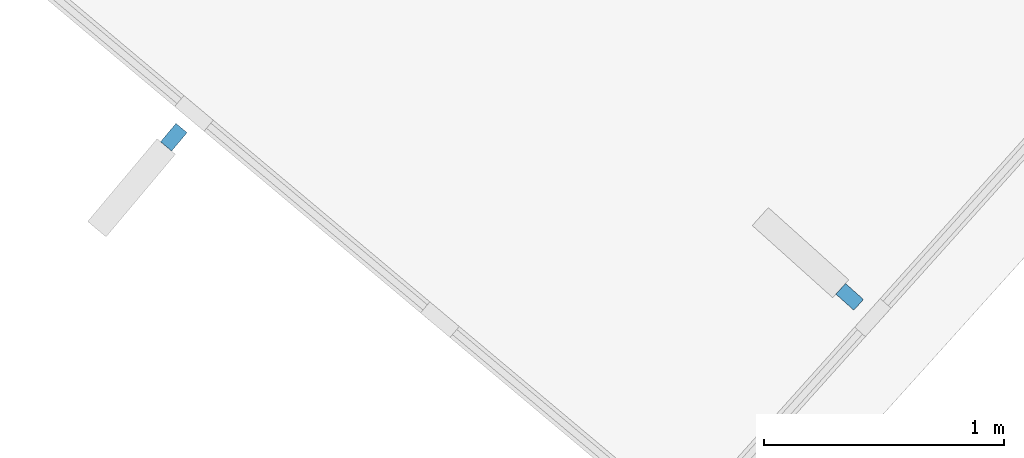
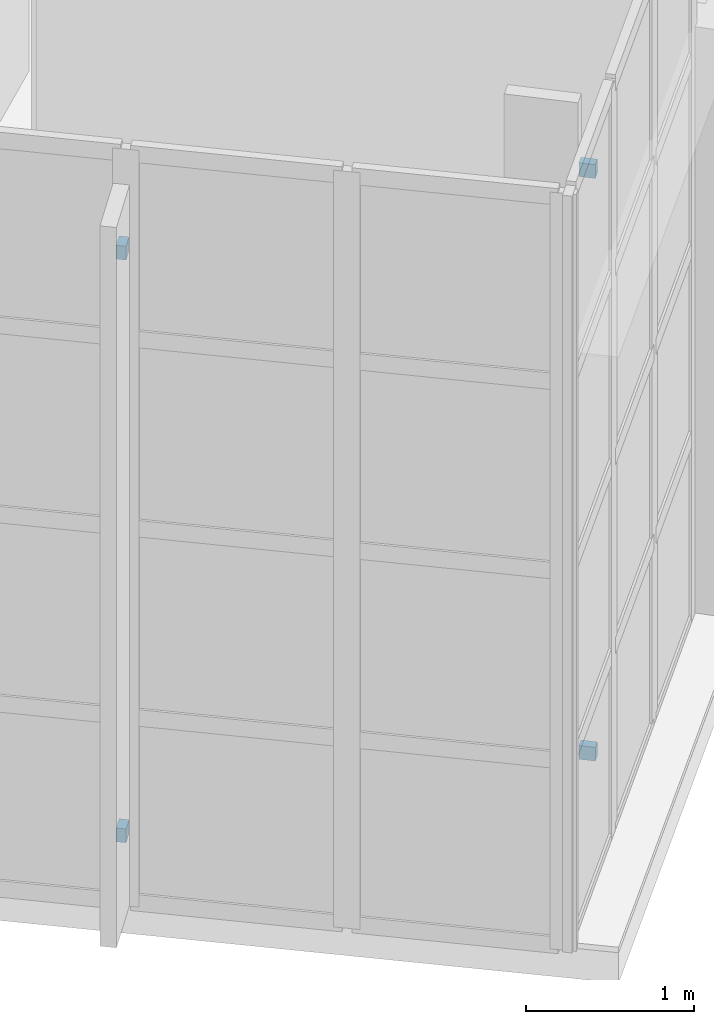
# One storey, part 69 of 112: 4 discrete accessories.
"""IFC4 building model written with IfcOpenShell, lengths in metres."""

from ifc_helpers import new_model, si_unit, direction, frame, origin, origin_2d, place, context, subcontext, project, spatial, rectangle, extrude, material, type_object, element, save


model = new_model("IFC4")

# Units and contexts
model_context = context("Model", 3, precision=1e-05, world=origin(), true_north=direction((0.0, 1.0)))
body_context = subcontext(model_context, "Body", "Model", "MODEL_VIEW")
ifc_project = project(units=[si_unit("LENGTHUNIT", "METRE"), si_unit("AREAUNIT", "SQUARE_METRE"), si_unit("VOLUMEUNIT", "CUBIC_METRE"), si_unit("PLANEANGLEUNIT", "RADIAN"), si_unit("MASSUNIT", "GRAM", prefix="KILO")], contexts=[model_context])

# Site, building, storey
site_placement = place(None, origin())
site = spatial("IfcSite", under=ifc_project, at=site_placement, CompositionType="ELEMENT")
building_placement = place(site_placement, origin())
building = spatial("IfcBuilding", under=site, at=building_placement, Name="Lunette Opera House", CompositionType="ELEMENT")
storey_placement = place(building_placement, frame((0.0, 0.0, 6.0)))
storey = spatial("IfcBuildingStorey", under=building, at=storey_placement, Name="L01", CompositionType="ELEMENT", Elevation=6.0)

# Discrete accessories
ifc_material = material(Name="Galvanised steel", Category="steel")
discrete_accessory_type = type_object("IfcDiscreteAccessoryType", Name="FIN BRACKET STEEL", PredefinedType="BRACKET", material=ifc_material)
for number, where, z_axis, x_axis, name in (
    (1, (56.618896484375, 34.572998046875, 0.56494140625), (0.0, 0.0, 1.0), (-0.74421712619, 0.667937773363, 0.0), "Fin bracket FC-X2163 2 1"),
    (2, (56.618896484375, 34.572998046875, 4.800048828125), (0.0, 0.0, 1.0), (-0.74421712619, 0.667937773363, 0.0), "Fin bracket FC-X2163 2 2"),
    (3, (53.802978515625, 35.238037109375, 0.56494140625), (0.0, 0.0, 1.0), (-0.642827718799, -0.766010785788, 0.0), "Fin bracket FC-X2164 2 1"),
    (4, (53.802978515625, 35.238037109375, 4.800048828125), (0.0, 0.0, 1.0), (-0.642827718799, -0.766010785788, 0.0), "Fin bracket FC-X2164 2 2"),
):
    element("IfcDiscreteAccessory", number, at=place(storey_placement, frame(where, z_axis=z_axis, x_axis=x_axis)), inside=storey, type_object=discrete_accessory_type, Name=name, PredefinedType="BRACKET", context=body_context, shape_type="SweptSolid", body=[
        extrude(rectangle(XDim=0.10009765625, YDim=0.06005859375, at=origin_2d()), origin(), (0.0, 0.0, 1.0), 0.10009765625),
    ])

save(model, "model.ifc")
